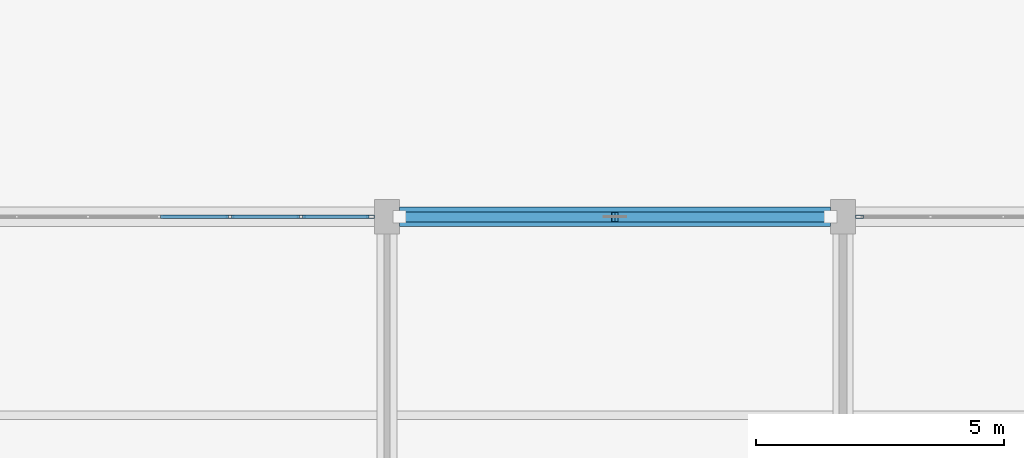
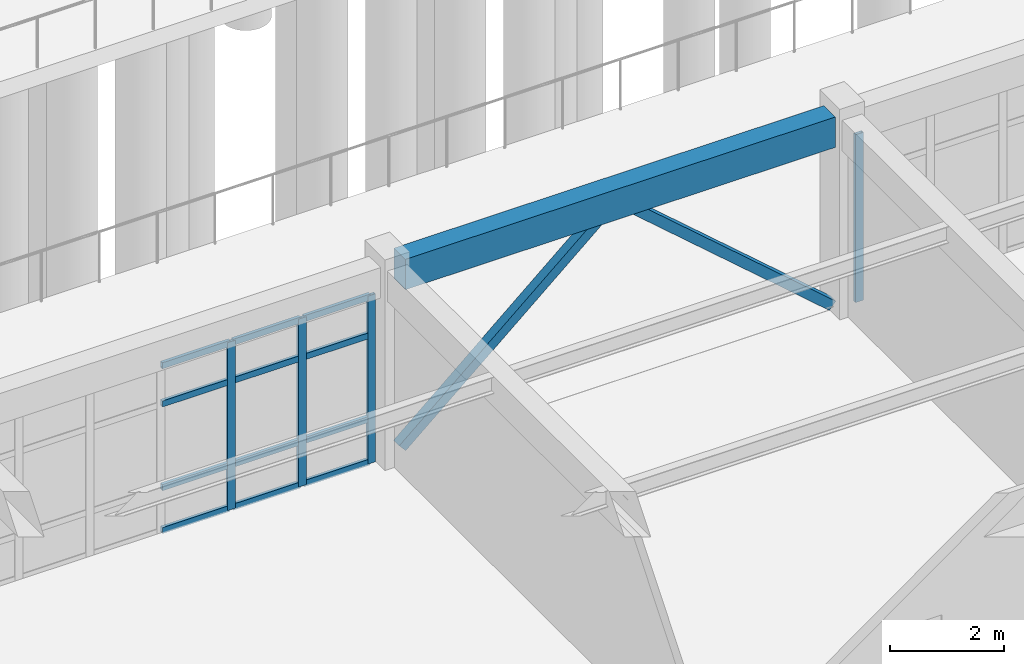
# One storey, part 39 of 154: 18 members, 1 beam, 2 elements without a shape of their own.
"""IFC4 building model written with IfcOpenShell, lengths in metres."""

from ifc_helpers import new_model, si_unit, direction, frame, origin, origin_2d, place, context, subcontext, project, spatial, rectangle, hollow_rectangle, extrude, material, material_profile, profile_set, type_object, element, aggregate, save


model = new_model("IFC4")

# Units and contexts
model_context = context("Model", 3, precision=1e-05, world=origin(), true_north=direction((0.0, 1.0)))
body_context = subcontext(model_context, "Body", "Model", "MODEL_VIEW")
ifc_project = project(units=[si_unit("LENGTHUNIT", "METRE"), si_unit("AREAUNIT", "SQUARE_METRE"), si_unit("VOLUMEUNIT", "CUBIC_METRE"), si_unit("PLANEANGLEUNIT", "RADIAN"), si_unit("MASSUNIT", "GRAM", prefix="KILO")], contexts=[model_context])

# Site, building, storey
site_placement = place(None, origin())
site = spatial("IfcSite", under=ifc_project, at=site_placement, CompositionType="ELEMENT")
building_placement = place(site_placement, origin())
building = spatial("IfcBuilding", under=site, at=building_placement, Name="Kestramere Prow Commons", CompositionType="ELEMENT")
storey_placement = place(building_placement, origin())
storey = spatial("IfcBuildingStorey", under=building, at=storey_placement, Name="L00", CompositionType="ELEMENT", Elevation=0.0)

# Beam
ifc_material_1 = material(Name="Precast concrete C40/50", Category="concrete")
ifc_material_profile_1 = material_profile(ifc_material_1, rectangle(XDim=0.39990234375, YDim=0.64990234375, at=origin_2d()), Name="PC-BM 400x650")
ifc_profile_set_1 = profile_set([ifc_material_profile_1], Name="Precast concrete C40/50")
beam_type = type_object("IfcBeamType", Name="BM-MK-01 PC-BM 400x650 (EX)", PredefinedType="BEAM", material=ifc_profile_set_1)
beam_placement = place(storey_placement, frame((85.25, 24.0, 3.925048828125), z_axis=(1.0, 0.0, 0.0), x_axis=(0.0, 1.0, 0.0)))
element("IfcBeam", 1, at=beam_placement, inside=storey, type_object=beam_type, Name="Market Spine L00 Beam X 3-4", PredefinedType="BEAM", context=body_context, shape_type="SweptSolid", body=[
    extrude(rectangle(XDim=0.39990234375, YDim=0.64990234375, at=origin_2d()), origin(), (0.0, 0.0, 1.0), 8.699951171875),
])

# Members
ifc_material_2 = material(Name="Steel S355JR", Category="steel")
ifc_material_profile_2 = material_profile(ifc_material_2, hollow_rectangle(XDim=0.199951171875, YDim=0.199951171875, WallThickness=0.010009765625, at=origin_2d()), Name="SHS 200x200x10")
ifc_profile_set_2 = profile_set([ifc_material_profile_2], Name="Steel S355JR")
member_type_1 = type_object("IfcMemberType", Name="BRMK-01 SHS 200x200x10", PredefinedType="BRACE", material=ifc_profile_set_2)
member_1_placement = place(storey_placement, frame((85.25, 24.0, 0.14990234375), z_axis=(0.755253963893, 0.0, 0.655432261964), x_axis=(0.0, 1.0, 0.0)))
element("IfcMember", 2, at=member_1_placement, inside=storey, type_object=member_type_1, Name="Market Spine Diagonal Brace L00-L", PredefinedType="BRACE", context=body_context, shape_type="SweptSolid", body=[
    extrude(hollow_rectangle(XDim=0.199951171875, YDim=0.199951171875, WallThickness=0.010009765625, at=origin_2d()), origin(), (0.0, 0.0, 1.0), 5.759765625),
])
member_2_placement = place(storey_placement, frame((93.949951171875, 24.0, 0.14990234375), z_axis=(-0.755235753868, 0.0, 0.65545324477), x_axis=(0.0, -1.0, 0.0)))
element("IfcMember", 3, at=member_2_placement, inside=storey, type_object=member_type_1, Name="Market Spine Diagonal Brace L00-R", PredefinedType="BRACE", context=body_context, shape_type="SweptSolid", body=[
    extrude(hollow_rectangle(XDim=0.199951171875, YDim=0.199951171875, WallThickness=0.010009765625, at=origin_2d()), origin(), (0.0, 0.0, 1.0), 5.759521484375),
])

# Curtain wall, members
ifc_material_3 = material(Name="Anodised Aluminium and Low-E Glass", Category="aluminium")
curtain_wall_type_1 = type_object("IfcCurtainWallType", Name="CW-21 Glazed Curtain Wall 8600x3590", PredefinedType="USERDEFINED", material=ifc_material_3)
curtain_wall_1_placement = place(storey_placement, origin())
curtain_wall_1 = element("IfcCurtainWall", 4, at=curtain_wall_1_placement, inside=storey, type_object=curtain_wall_type_1, Name="Market L00 Courtyard Shopfront 3", ObjectType="GLAZED CURTAIN WALL", PredefinedType="USERDEFINED")
ifc_material_4 = material(Name="Anodised Aluminium 6063-T6", Category="aluminium")
ifc_material_profile_3 = material_profile(ifc_material_4, hollow_rectangle(XDim=0.06494140625, YDim=0.159912109375, WallThickness=0.00390625, at=origin_2d()), Name="ALU-MUL 65x160")
ifc_profile_set_3 = profile_set([ifc_material_profile_3], Name="Anodised Aluminium 6063-T6")
member_type_2 = type_object("IfcMemberType", Name="CW-MUL-65x160", PredefinedType="MULLION", material=ifc_profile_set_3)
member_3_placement = place(storey_placement, frame((81.833251953125, 24.0, 0.0), z_axis=(0.0, 0.0, 1.0), x_axis=(0.0, 1.0, 0.0)))
member_3 = element("IfcMember", 5, at=member_3_placement, type_object=member_type_2, Name="CW-21 mullion 5", PredefinedType="MULLION", context=body_context, shape_type="SweptSolid", body=[
    extrude(hollow_rectangle(XDim=0.06494140625, YDim=0.159912109375, WallThickness=0.00390625, at=origin_2d()), origin(), (0.0, 0.0, 1.0), 3.590087890625),
])
member_4_placement = place(storey_placement, frame((83.2666015625, 24.0, 0.0), z_axis=(0.0, 0.0, 1.0), x_axis=(0.0, 1.0, 0.0)))
member_4 = element("IfcMember", 6, at=member_4_placement, type_object=member_type_2, Name="CW-21 mullion 6", PredefinedType="MULLION", context=body_context, shape_type="SweptSolid", body=[
    extrude(hollow_rectangle(XDim=0.06494140625, YDim=0.159912109375, WallThickness=0.00390625, at=origin_2d()), origin(), (0.0, 0.0, 1.0), 3.590087890625),
])
member_5_placement = place(storey_placement, frame((84.66748046875, 24.0, 0.0), z_axis=(0.0, 0.0, 1.0), x_axis=(0.0, 1.0, 0.0)))
member_5 = element("IfcMember", 7, at=member_5_placement, type_object=member_type_2, Name="CW-21 mullion 7", PredefinedType="MULLION", context=body_context, shape_type="SweptSolid", body=[
    extrude(hollow_rectangle(XDim=0.06494140625, YDim=0.159912109375, WallThickness=0.00390625, at=origin_2d()), origin(), (0.0, 0.0, 1.0), 3.590087890625),
])

# Curtain wall, member
curtain_wall_type_2 = type_object("IfcCurtainWallType", Name="CW-22 Glazed Curtain Wall 8800x3590", PredefinedType="USERDEFINED", material=ifc_material_3)
curtain_wall_2_placement = place(storey_placement, origin())
curtain_wall_2 = element("IfcCurtainWall", 8, at=curtain_wall_2_placement, inside=storey, type_object=curtain_wall_type_2, Name="Market L00 Courtyard Shopfront 5", ObjectType="GLAZED CURTAIN WALL", PredefinedType="USERDEFINED")
member_6_placement = place(storey_placement, frame((94.532470703125, 24.0, 0.0), z_axis=(0.0, 0.0, 1.0), x_axis=(0.0, 1.0, 0.0)))
member_6 = element("IfcMember", 9, at=member_6_placement, type_object=member_type_2, Name="CW-22 mullion 1", PredefinedType="MULLION", context=body_context, shape_type="SweptSolid", body=[
    extrude(hollow_rectangle(XDim=0.06494140625, YDim=0.159912109375, WallThickness=0.00390625, at=origin_2d()), origin(), (0.0, 0.0, 1.0), 3.590087890625),
])
aggregate(curtain_wall_2, [member_6])

# Member
ifc_material_profile_4 = material_profile(ifc_material_4, hollow_rectangle(XDim=0.06494140625, YDim=0.1298828125, WallThickness=0.00390625, at=origin_2d()), Name="ALU-TRN 65x130")
ifc_profile_set_4 = profile_set([ifc_material_profile_4], Name="Anodised Aluminium 6063-T6")
member_type_3 = type_object("IfcMemberType", Name="CW-TRN-65x130", PredefinedType="USERDEFINED", material=ifc_profile_set_4)
member_7_placement = place(storey_placement, frame((80.4326171875, 24.0, 0.032470703125), z_axis=(1.0, 0.0, 0.0), x_axis=(0.0, 1.0, 0.0)))
member_7 = element("IfcMember", 10, at=member_7_placement, type_object=member_type_3, Name="CW-21 transom 4.1", ObjectType="TRANSOM", PredefinedType="USERDEFINED", context=body_context, shape_type="SweptSolid", body=[
    extrude(hollow_rectangle(XDim=0.06494140625, YDim=0.1298828125, WallThickness=0.00390625, at=origin_2d()), origin(), (0.0, 0.0, 1.0), 1.3681640625),
])

member_8_placement = place(storey_placement, frame((80.4326171875, 24.0, 0.949951171875), z_axis=(1.0, 0.0, 0.0), x_axis=(0.0, 1.0, 0.0)))
member_8 = element("IfcMember", 11, at=member_8_placement, type_object=member_type_3, Name="CW-21 transom 4.2", ObjectType="TRANSOM", PredefinedType="USERDEFINED", context=body_context, shape_type="SweptSolid", body=[
    extrude(hollow_rectangle(XDim=0.06494140625, YDim=0.1298828125, WallThickness=0.00390625, at=origin_2d()), origin(), (0.0, 0.0, 1.0), 1.3681640625),
])

member_9_placement = place(storey_placement, frame((80.4326171875, 24.0, 2.739990234375), z_axis=(1.0, 0.0, 0.0), x_axis=(0.0, 1.0, 0.0)))
member_9 = element("IfcMember", 12, at=member_9_placement, type_object=member_type_3, Name="CW-21 transom 4.3", ObjectType="TRANSOM", PredefinedType="USERDEFINED", context=body_context, shape_type="SweptSolid", body=[
    extrude(hollow_rectangle(XDim=0.06494140625, YDim=0.1298828125, WallThickness=0.00390625, at=origin_2d()), origin(), (0.0, 0.0, 1.0), 1.3681640625),
])

member_10_placement = place(storey_placement, frame((80.4326171875, 24.0, 3.5576171875), z_axis=(1.0, 0.0, 0.0), x_axis=(0.0, 1.0, 0.0)))
member_10 = element("IfcMember", 13, at=member_10_placement, type_object=member_type_3, Name="CW-21 transom 4.4", ObjectType="TRANSOM", PredefinedType="USERDEFINED", context=body_context, shape_type="SweptSolid", body=[
    extrude(hollow_rectangle(XDim=0.06494140625, YDim=0.1298828125, WallThickness=0.00390625, at=origin_2d()), origin(), (0.0, 0.0, 1.0), 1.3681640625),
])

member_11_placement = place(storey_placement, frame((81.86572265625, 24.0, 0.032470703125), z_axis=(1.0, 0.0, 0.0), x_axis=(0.0, 1.0, 0.0)))
member_11 = element("IfcMember", 14, at=member_11_placement, type_object=member_type_3, Name="CW-21 transom 5.1", ObjectType="TRANSOM", PredefinedType="USERDEFINED", context=body_context, shape_type="SweptSolid", body=[
    extrude(hollow_rectangle(XDim=0.06494140625, YDim=0.1298828125, WallThickness=0.00390625, at=origin_2d()), origin(), (0.0, 0.0, 1.0), 1.368408203125),
])

member_12_placement = place(storey_placement, frame((81.86572265625, 24.0, 0.949951171875), z_axis=(1.0, 0.0, 0.0), x_axis=(0.0, 1.0, 0.0)))
member_12 = element("IfcMember", 15, at=member_12_placement, type_object=member_type_3, Name="CW-21 transom 5.2", ObjectType="TRANSOM", PredefinedType="USERDEFINED", context=body_context, shape_type="SweptSolid", body=[
    extrude(hollow_rectangle(XDim=0.06494140625, YDim=0.1298828125, WallThickness=0.00390625, at=origin_2d()), origin(), (0.0, 0.0, 1.0), 1.368408203125),
])

member_13_placement = place(storey_placement, frame((81.86572265625, 24.0, 2.739990234375), z_axis=(1.0, 0.0, 0.0), x_axis=(0.0, 1.0, 0.0)))
member_13 = element("IfcMember", 16, at=member_13_placement, type_object=member_type_3, Name="CW-21 transom 5.3", ObjectType="TRANSOM", PredefinedType="USERDEFINED", context=body_context, shape_type="SweptSolid", body=[
    extrude(hollow_rectangle(XDim=0.06494140625, YDim=0.1298828125, WallThickness=0.00390625, at=origin_2d()), origin(), (0.0, 0.0, 1.0), 1.368408203125),
])

member_14_placement = place(storey_placement, frame((81.86572265625, 24.0, 3.5576171875), z_axis=(1.0, 0.0, 0.0), x_axis=(0.0, 1.0, 0.0)))
member_14 = element("IfcMember", 17, at=member_14_placement, type_object=member_type_3, Name="CW-21 transom 5.4", ObjectType="TRANSOM", PredefinedType="USERDEFINED", context=body_context, shape_type="SweptSolid", body=[
    extrude(hollow_rectangle(XDim=0.06494140625, YDim=0.1298828125, WallThickness=0.00390625, at=origin_2d()), origin(), (0.0, 0.0, 1.0), 1.368408203125),
])

member_15_placement = place(storey_placement, frame((83.299072265625, 24.0, 0.032470703125), z_axis=(1.0, 0.0, 0.0), x_axis=(0.0, 1.0, 0.0)))
member_15 = element("IfcMember", 18, at=member_15_placement, type_object=member_type_3, Name="CW-21 transom 6.1", ObjectType="TRANSOM", PredefinedType="USERDEFINED", context=body_context, shape_type="SweptSolid", body=[
    extrude(hollow_rectangle(XDim=0.06494140625, YDim=0.1298828125, WallThickness=0.00390625, at=origin_2d()), origin(), (0.0, 0.0, 1.0), 1.3359375),
])

member_16_placement = place(storey_placement, frame((83.299072265625, 24.0, 0.949951171875), z_axis=(1.0, 0.0, 0.0), x_axis=(0.0, 1.0, 0.0)))
member_16 = element("IfcMember", 19, at=member_16_placement, type_object=member_type_3, Name="CW-21 transom 6.2", ObjectType="TRANSOM", PredefinedType="USERDEFINED", context=body_context, shape_type="SweptSolid", body=[
    extrude(hollow_rectangle(XDim=0.06494140625, YDim=0.1298828125, WallThickness=0.00390625, at=origin_2d()), origin(), (0.0, 0.0, 1.0), 1.3359375),
])

member_17_placement = place(storey_placement, frame((83.299072265625, 24.0, 2.739990234375), z_axis=(1.0, 0.0, 0.0), x_axis=(0.0, 1.0, 0.0)))
member_17 = element("IfcMember", 20, at=member_17_placement, type_object=member_type_3, Name="CW-21 transom 6.3", ObjectType="TRANSOM", PredefinedType="USERDEFINED", context=body_context, shape_type="SweptSolid", body=[
    extrude(hollow_rectangle(XDim=0.06494140625, YDim=0.1298828125, WallThickness=0.00390625, at=origin_2d()), origin(), (0.0, 0.0, 1.0), 1.3359375),
])

member_18_placement = place(storey_placement, frame((83.299072265625, 24.0, 3.5576171875), z_axis=(1.0, 0.0, 0.0), x_axis=(0.0, 1.0, 0.0)))
member_18 = element("IfcMember", 21, at=member_18_placement, type_object=member_type_3, Name="CW-21 transom 6.4", ObjectType="TRANSOM", PredefinedType="USERDEFINED", context=body_context, shape_type="SweptSolid", body=[
    extrude(hollow_rectangle(XDim=0.06494140625, YDim=0.1298828125, WallThickness=0.00390625, at=origin_2d()), origin(), (0.0, 0.0, 1.0), 1.3359375),
])

aggregate(curtain_wall_1, [member_3, member_4, member_5, member_7, member_8, member_9, member_10, member_11, member_12, member_13, member_14, member_15, member_16, member_17, member_18])

save(model, "model.ifc")
